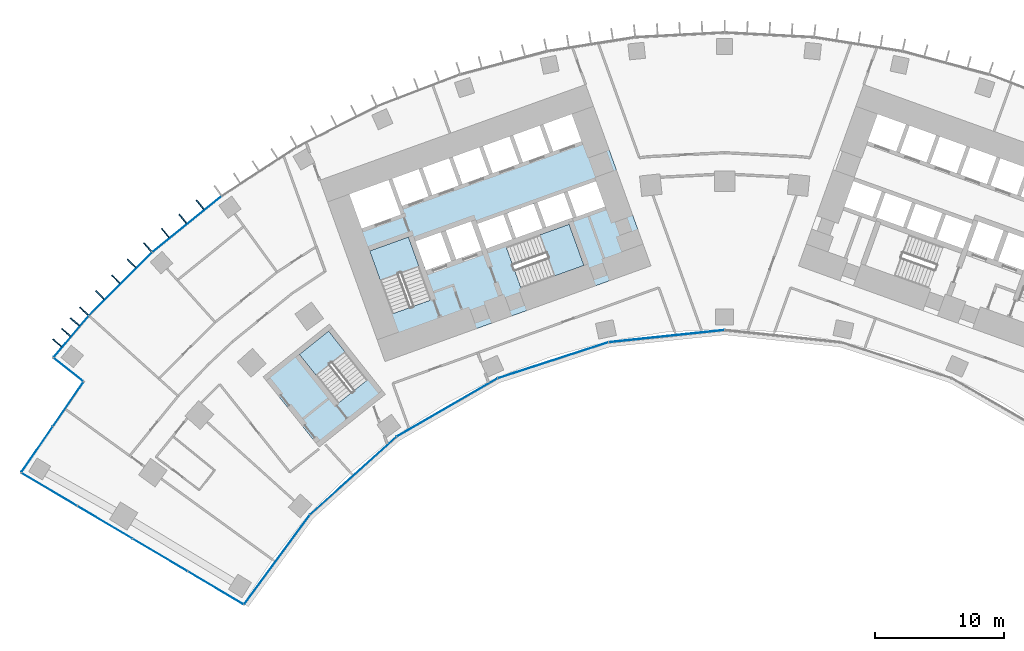
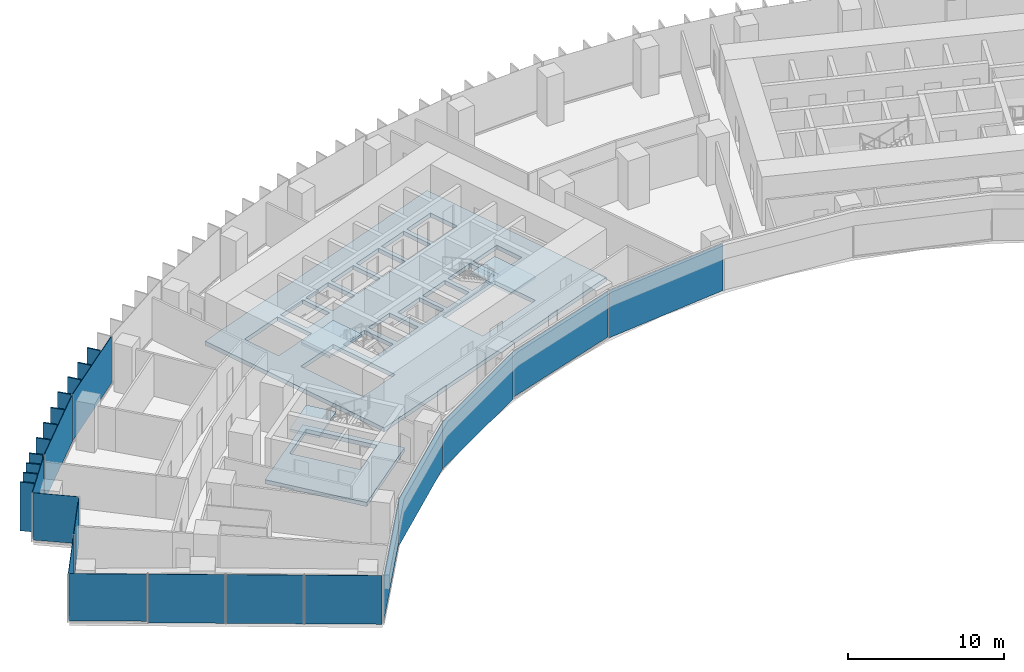
# One storey, part 14 of 24: 26 plates, 5 slabs, 8 elements without a shape of their own.
"""IFC4 building model written with IfcOpenShell, lengths in metres."""

import ifcopenshell
import ifcopenshell.guid

model = None  # the IFC model being written
_history = None  # IfcOwnerHistory: only IFC2X3 demands one
_inside = {}  # id of a spatial element -> (the spatial element, [elements in it])
_under = {}  # id of a project, library or spatial element -> (it, [spatial elements below it])
_declared = {}  # id of a project -> (the project, [libraries it declares])
_typed = {}  # id of a type object -> (the type object, [elements of that type])
_made_of = {}  # id of a material, layer set ... -> (it, [elements and type objects made of it])


def new_model(schema):
    """Start an empty IFC model of exactly this schema.

    Asked for "IFC4X3", IfcOpenShell would pick the latest addendum, in which some entities
    have other attributes; the version numbers below select the first issue.
    IFC2X3 requires an IfcOwnerHistory on every rooted entity: one is made here for all.
    """
    global model, _history
    if schema == "IFC4X3":
        model = ifcopenshell.file(schema_version=(4, 3, 0, 0))
    else:
        model = ifcopenshell.file(schema=schema)
    _inside.clear()
    _under.clear()
    _declared.clear()
    _typed.clear()
    _made_of.clear()
    _history = None
    if model.schema == "IFC2X3":
        org = make("IfcOrganization", Name="unknown")
        user = make(
            "IfcPersonAndOrganization",
            ThePerson=make("IfcPerson", FamilyName="unknown"),
            TheOrganization=org,
        )
        app = make(
            "IfcApplication",
            ApplicationDeveloper=org,
            Version="unknown",
            ApplicationFullName="unknown",
            ApplicationIdentifier="unknown",
        )
        _history = make(
            "IfcOwnerHistory",
            OwningUser=user,
            OwningApplication=app,
            ChangeAction="ADDED",
            CreationDate=0,
        )
    return model


def make(cls, **values):
    """One entity of the class cls with the attributes given. An attribute that is None is left unset."""
    return model.create_entity(
        cls, **{name: value for name, value in values.items() if value is not None}
    )


def rooted(cls, **values):
    """An entity with a GlobalId (a new one), such as an element, a storey or a relation."""
    return make(cls, GlobalId=ifcopenshell.guid.new(), OwnerHistory=_history, **values)


def si_unit(unit_type, name, prefix=None):
    """IfcSIUnit, for example si_unit("LENGTHUNIT", "METRE", prefix="MILLI")."""
    return make("IfcSIUnit", UnitType=unit_type, Prefix=prefix, Name=name)


def assignment(units):
    """IfcUnitAssignment: the units of a project."""
    return None if units is None else make("IfcUnitAssignment", Units=units)


def point(xyz):
    """IfcCartesianPoint."""
    return None if xyz is None else make("IfcCartesianPoint", Coordinates=xyz)


def direction(xyz):
    """IfcDirection."""
    return None if xyz is None else make("IfcDirection", DirectionRatios=xyz)


def frame(location, z_axis=None, x_axis=None):
    """IfcAxis2Placement3D, a coordinate frame: its origin and axes. An axis left out is left unset."""
    return make(
        "IfcAxis2Placement3D",
        Location=point(location),
        Axis=direction(z_axis),
        RefDirection=direction(x_axis),
    )


def frame_2d(location, x_axis=None):
    """IfcAxis2Placement2D, a coordinate frame in the plane: its origin and x axis."""
    return make(
        "IfcAxis2Placement2D", Location=point(location), RefDirection=direction(x_axis)
    )


def origin():
    """The frame at (0, 0, 0) with its axes left unset."""
    return frame((0.0, 0.0, 0.0))


def origin_2d():
    """The frame at (0, 0) in the plane with its x axis left unset."""
    return frame_2d((0.0, 0.0))


def place(relative_to, where):
    """IfcLocalPlacement: puts the frame where relative to a parent placement (None: the world)."""
    return make(
        "IfcLocalPlacement", PlacementRelTo=relative_to, RelativePlacement=where
    )


def context(
    kind, dimensions, precision=None, world=None, true_north=None, identifier=None
):
    """IfcGeometricRepresentationContext, for example the 3D "Model" context."""
    return make(
        "IfcGeometricRepresentationContext",
        ContextIdentifier=identifier,
        ContextType=kind,
        CoordinateSpaceDimension=dimensions,
        Precision=precision,
        WorldCoordinateSystem=world,
        TrueNorth=true_north,
    )


def subcontext(parent, identifier, kind, view, scale=None):
    """IfcGeometricRepresentationSubContext, for example "Body" below "Model"."""
    return make(
        "IfcGeometricRepresentationSubContext",
        ContextIdentifier=identifier,
        ContextType=kind,
        ParentContext=parent,
        TargetScale=scale,
        TargetView=view,
    )


def project(units=None, contexts=None):
    """IfcProject with its units and contexts."""
    return rooted(
        "IfcProject",
        Name="project",
        RepresentationContexts=contexts,
        UnitsInContext=assignment(units),
    )


def spatial(cls, under=None, at=None, **own):
    """A site, building, storey or space (cls), placed at a placement, below another one or the project."""
    s = rooted(cls, ObjectPlacement=at, **own)
    if under is not None:
        _under.setdefault(under.id(), (under, []))[1].append(s)
    return s


def polyline(points):
    """IfcPolyline through the points."""
    return make("IfcPolyline", Points=[point(p) for p in points])


def profile(cls, at=None, kind="AREA", **sizes):
    """A parametric profile (cls). Its sizes go by their IFC names, for example OverallWidth=200.0."""
    return make(cls, ProfileType=kind, Position=at, **sizes)


def rectangle(**sizes):
    """IfcRectangleProfileDef."""
    return profile("IfcRectangleProfileDef", **sizes)


def outline(outer, holes=None, kind="AREA"):
    """IfcArbitraryClosedProfileDef: a profile drawn as a closed curve; with holes, ...WithVoids."""
    if holes is None:
        return make("IfcArbitraryClosedProfileDef", ProfileType=kind, OuterCurve=outer)
    return make(
        "IfcArbitraryProfileDefWithVoids",
        ProfileType=kind,
        OuterCurve=outer,
        InnerCurves=holes,
    )


def extrude(swept, where, along, depth):
    """IfcExtrudedAreaSolid: the profile swept, set in the frame where, extruded along a direction by depth."""
    return make(
        "IfcExtrudedAreaSolid",
        SweptArea=swept,
        Position=where,
        ExtrudedDirection=direction(along),
        Depth=depth,
    )


def shape(context_of_items, identifier, shape_type, items):
    """IfcShapeRepresentation: the items that make up one representation, for example the "Body"."""
    return make(
        "IfcShapeRepresentation",
        ContextOfItems=context_of_items,
        RepresentationIdentifier=identifier,
        RepresentationType=shape_type,
        Items=items,
    )


def material(Name=None, Category=None):
    """IfcMaterial."""
    return make("IfcMaterial", Name=Name, Category=Category)


def layer(
    of_material, thickness, ventilated=None, Name=None, Category=None, Priority=None
):
    """IfcMaterialLayer: one layer of a wall or slab, of a material (None: an air gap)."""
    return make(
        "IfcMaterialLayer",
        Material=of_material,
        LayerThickness=thickness,
        IsVentilated=ventilated,
        Name=Name,
        Category=Category,
        Priority=Priority,
    )


def layer_set(layers, Name=None):
    """IfcMaterialLayerSet."""
    return make("IfcMaterialLayerSet", MaterialLayers=layers, LayerSetName=Name)


def made_of(thing, what):
    """Note that an element or type object is made of a material, layer set ...; save() writes the relation."""
    if what is not None:
        _made_of.setdefault(what.id(), (what, []))[1].append(thing)
    return thing


def type_object(cls, material=None, **own):
    """A type object (cls), such as IfcWallType, which elements share."""
    return made_of(rooted(cls, **own), material)


def element(
    cls,
    number,
    at=None,
    inside=None,
    cuts=None,
    type_object=None,
    material=None,
    context=None,
    identifier="Body",
    shape_type=None,
    held_by="IfcProductDefinitionShape",
    body=None,
    shapes=None,
    **own,
):
    """One element of the class cls, such as IfcWall. Its Tag is "e" and its number.

    at: its placement. inside: the storey or other place that contains it. cuts: it is an
    opening in that element (IfcRelVoidsElement). A single representation is given by context,
    identifier, shape_type and body (its items); several are given by shapes. held_by: the class
    of the entity that holds the representations. save() writes the other relations.
    """
    e = rooted(cls, Tag="e%d" % number, ObjectPlacement=at, **own)
    if body is not None:
        shapes = [shape(context, identifier, shape_type, body)]
    if shapes is not None:
        e.Representation = make(held_by, Representations=shapes)
    if inside is not None:
        _inside.setdefault(inside.id(), (inside, []))[1].append(e)
    if cuts is not None:
        rooted(
            "IfcRelVoidsElement", RelatingBuildingElement=cuts, RelatedOpeningElement=e
        )
    if type_object is not None:
        _typed.setdefault(type_object.id(), (type_object, []))[1].append(e)
    return made_of(e, material)


def aggregate(whole, parts):
    """IfcRelAggregates: a whole, such as a stair, and the parts it consists of."""
    return rooted("IfcRelAggregates", RelatingObject=whole, RelatedObjects=parts)


def save(model, path):
    """Write the relations noted so far, then the file.

    IfcRelAggregates (storeys below a building ...), IfcRelContainedInSpatialStructure (elements
    in a storey), IfcRelDefinesByType, IfcRelAssociatesMaterial and IfcRelDeclares: one each for
    every whole, place, type object, material and project.
    """
    for whole, parts in _under.values():
        aggregate(whole, parts)
    for where, things in _inside.values():
        rooted(
            "IfcRelContainedInSpatialStructure",
            RelatedElements=things,
            RelatingStructure=where,
        )
    for kind, things in _typed.values():
        rooted("IfcRelDefinesByType", RelatedObjects=things, RelatingType=kind)
    for what, things in _made_of.values():
        rooted("IfcRelAssociatesMaterial", RelatedObjects=things, RelatingMaterial=what)
    for by, libraries in _declared.values():
        rooted("IfcRelDeclares", RelatingContext=by, RelatedDefinitions=libraries)
    model.write(path)


model = new_model("IFC4")

# Units and contexts
model_context = context("Model", 3, precision=1e-05, world=origin(), true_north=direction((0.0, 1.0)))
body_context = subcontext(model_context, "Body", "Model", "MODEL_VIEW")
ifc_project = project(units=[si_unit("LENGTHUNIT", "METRE"), si_unit("AREAUNIT", "SQUARE_METRE"), si_unit("VOLUMEUNIT", "CUBIC_METRE"), si_unit("PLANEANGLEUNIT", "RADIAN"), si_unit("MASSUNIT", "GRAM", prefix="KILO")], contexts=[model_context])

# Site, building, storey
site_placement = place(None, origin())
site = spatial("IfcSite", under=ifc_project, at=site_placement, CompositionType="ELEMENT")
building_placement = place(site_placement, origin())
building = spatial("IfcBuilding", under=site, at=building_placement, Name="Stone Belt Terrace Tower", CompositionType="ELEMENT")
storey_placement = place(building_placement, frame((0.0, 0.0, 75.60009765625)))
storey = spatial("IfcBuildingStorey", under=building, at=storey_placement, Name="L18", CompositionType="ELEMENT", Elevation=75.60009765625)

# Curtain wall, plates
ifc_material_1 = material(Name="Aluminium 6063-T6 anodised frame", Category="aluminium")
ifc_layer_1 = layer(ifc_material_1, 0.14990234375)
ifc_layer_set_1 = layer_set([ifc_layer_1], Name="CW-A unitised convex-face curtain wall")
curtain_wall_type_1 = type_object("IfcCurtainWallType", Name="CW-A unitised convex-face curtain wall", PredefinedType="NOTDEFINED", material=ifc_layer_set_1)
curtain_wall_1_placement = place(storey_placement, origin())
curtain_wall_1 = element("IfcCurtainWall", 1, at=curtain_wall_1_placement, inside=storey, type_object=curtain_wall_type_1, Name="CW-A convex face L18", PredefinedType="NOTDEFINED")
ifc_material_2 = material(Name="Clear double glazed unit")
ifc_layer_2 = layer(ifc_material_2, 0.031982421875)
ifc_layer_set_2 = layer_set([ifc_layer_2], Name="CW-A glass panel 32")
plate_type_1 = type_object("IfcPlateType", Name="CW-A glass panel 32", PredefinedType="CURTAIN_PANEL", material=ifc_layer_set_2)
plate_1_placement = place(storey_placement, frame((-41.839599609375, 51.667724609375, 0.14013671875), z_axis=(0.0, 0.0, 1.0), x_axis=(-0.777145961457, -0.62932039105, 0.0)))
plate_1 = element("IfcPlate", 2, at=plate_1_placement, type_object=plate_type_1, Name="CW-A panel 15.1", PredefinedType="CURTAIN_PANEL", context=body_context, shape_type="SweptSolid", body=[
    extrude(rectangle(XDim=6.90087890625, YDim=0.031982421875, at=origin_2d()), origin(), (0.0, 0.0, 1.0), 3.659912109375),
])
plate_2_placement = place(storey_placement, frame((-47.01123046875, 47.01123046875, 0.14013671875), z_axis=(0.0, 0.0, 1.0), x_axis=(-0.707106781187, -0.707106781187, 0.0)))
plate_2 = element("IfcPlate", 3, at=plate_2_placement, type_object=plate_type_1, Name="CW-A panel 16.1", PredefinedType="CURTAIN_PANEL", context=body_context, shape_type="SweptSolid", body=[
    extrude(rectangle(XDim=6.90087890625, YDim=0.031982421875, at=origin_2d()), origin(), (0.0, 0.0, 1.0), 3.659912109375),
])
plate_3_placement = place(storey_placement, frame((-50.84423828125, 42.92626953125, 0.14013671875), z_axis=(0.0, 0.0, 1.0), x_axis=(-0.645291395384, -0.763936525533, 0.0)))
plate_3 = element("IfcPlate", 4, at=plate_3_placement, type_object=plate_type_1, Name="CW-A panel 17.1", PredefinedType="CURTAIN_PANEL", context=body_context, shape_type="SweptSolid", body=[
    extrude(rectangle(XDim=4.17919921875, YDim=0.031982421875, at=origin_2d()), origin(), (0.0, 0.0, 1.0), 3.659912109375),
])
aggregate(curtain_wall_1, [plate_1, plate_2, plate_3])

ifc_layer_3 = layer(ifc_material_1, 0.14990234375)
ifc_layer_set_3 = layer_set([ifc_layer_3], Name="CW-B unitised concave-face curtain wall")
curtain_wall_type_2 = type_object("IfcCurtainWallType", Name="CW-B unitised concave-face curtain wall", PredefinedType="NOTDEFINED", material=ifc_layer_set_3)
curtain_wall_2_placement = place(storey_placement, origin())
curtain_wall_2 = element("IfcCurtainWall", 5, at=curtain_wall_2_placement, inside=storey, type_object=curtain_wall_type_2, Name="CW-B concave face L18", PredefinedType="NOTDEFINED")
ifc_layer_4 = layer(ifc_material_2, 0.030029296875)
ifc_layer_set_4 = layer_set([ifc_layer_4], Name="CW-B glass panel 30")
plate_type_2 = type_object("IfcPlateType", Name="CW-B glass panel 30", PredefinedType="CURTAIN_PANEL", material=ifc_layer_set_4)
plate_4_placement = place(storey_placement, frame((-34.831787109375, 25.57177734375, 0.119873046875), z_axis=(0.0, 0.0, 1.0), x_axis=(0.592159017675, 0.805821132626, 0.0)))
plate_4 = element("IfcPlate", 6, at=plate_4_placement, type_object=plate_type_2, Name="CW-B panel 1.1", PredefinedType="CURTAIN_PANEL", context=body_context, shape_type="SweptSolid", body=[
    extrude(rectangle(XDim=8.583984375, YDim=0.030029296875, at=origin_2d()), origin(), (0.0, 0.0, 1.0), 3.56005859375),
])
plate_5_placement = place(storey_placement, frame((-28.897705078125, 32.09375, 0.0), z_axis=(0.0, 0.0, 1.0), x_axis=(0.743144825477, 0.669130606359, 0.0)))
plate_5 = element("IfcPlate", 7, at=plate_5_placement, type_object=plate_type_2, Name="CW-B panel 2.1", PredefinedType="CURTAIN_PANEL", context=body_context, shape_type="SweptSolid", body=[
    extrude(rectangle(XDim=9.01318359375, YDim=0.030029296875, at=origin_2d()), origin(), (0.0, 0.0, 1.0), 3.679931640625),
])
plate_6_placement = place(storey_placement, frame((-21.59326171875, 37.40087890625, 0.0), z_axis=(0.0, 0.0, 1.0), x_axis=(0.866025403784, 0.5, 0.0)))
plate_6 = element("IfcPlate", 8, at=plate_6_placement, type_object=plate_type_2, Name="CW-B panel 3.1", PredefinedType="CURTAIN_PANEL", context=body_context, shape_type="SweptSolid", body=[
    extrude(rectangle(XDim=9.0126953125, YDim=0.030029296875, at=origin_2d()), origin(), (0.0, 0.0, 1.0), 3.679931640625),
])
plate_7_placement = place(storey_placement, frame((-13.345458984375, 41.072998046875, 0.119873046875), z_axis=(0.0, 0.0, 1.0), x_axis=(0.951056516295, 0.309016994375, 0.0)))
plate_7 = element("IfcPlate", 9, at=plate_7_placement, type_object=plate_type_2, Name="CW-B panel 4.1", PredefinedType="CURTAIN_PANEL", context=body_context, shape_type="SweptSolid", body=[
    extrude(rectangle(XDim=9.0126953125, YDim=0.030029296875, at=origin_2d()), origin(), (0.0, 0.0, 1.0), 3.56005859375),
])
plate_8_placement = place(storey_placement, frame((-4.51416015625, 42.9501953125, 0.0), z_axis=(0.0, 0.0, 1.0), x_axis=(0.994521895368, 0.104528463268, 0.0)))
plate_8 = element("IfcPlate", 10, at=plate_8_placement, type_object=plate_type_2, Name="CW-B panel 5.1", PredefinedType="CURTAIN_PANEL", context=body_context, shape_type="SweptSolid", body=[
    extrude(rectangle(XDim=9.0126953125, YDim=0.030029296875, at=origin_2d()), origin(), (0.0, 0.0, 1.0), 3.679931640625),
])
aggregate(curtain_wall_2, [plate_4, plate_5, plate_6, plate_7, plate_8])

# Curtain wall, plate
ifc_layer_5 = layer(ifc_material_1, 0.14990234375)
ifc_layer_set_5 = layer_set([ifc_layer_5], Name="CW-C stick curtain wall, horn ends and notches")
curtain_wall_type_3 = type_object("IfcCurtainWallType", Name="CW-C stick curtain wall, horn ends and notches", PredefinedType="NOTDEFINED", material=ifc_layer_set_5)
curtain_wall_3_placement = place(storey_placement, origin())
curtain_wall_3 = element("IfcCurtainWall", 11, at=curtain_wall_3_placement, inside=storey, type_object=curtain_wall_type_3, Name="CW-C notch face L18", PredefinedType="NOTDEFINED")
ifc_layer_6 = layer(ifc_material_2, 0.028076171875)
ifc_layer_set_6 = layer_set([ifc_layer_6], Name="CW-C glass panel 28")
plate_type_3 = type_object("IfcPlateType", Name="CW-C glass panel 28", PredefinedType="CURTAIN_PANEL", material=ifc_layer_set_6)
plate_9_placement = place(storey_placement, frame((-51.061279296875, 40.3388671875, 0.1201171875), z_axis=(0.0, 0.0, 1.0), x_axis=(0.783963828584, -0.620806504051, 0.0)))
plate_9 = element("IfcPlate", 12, at=plate_9_placement, type_object=plate_type_3, Name="CW-C panel 1.1", PredefinedType="CURTAIN_PANEL", context=body_context, shape_type="SweptSolid", body=[
    extrude(rectangle(XDim=2.859375, YDim=0.028076171875, at=origin_2d()), origin(), (0.0, 0.0, 1.0), 3.679931640625),
])
aggregate(curtain_wall_3, [plate_9])

# Curtain wall, plates
curtain_wall_4_placement = place(storey_placement, origin())
curtain_wall_4 = element("IfcCurtainWall", 13, at=curtain_wall_4_placement, inside=storey, type_object=curtain_wall_type_3, Name="CW-C notch face L18", PredefinedType="NOTDEFINED")
plate_10_placement = place(storey_placement, frame((-51.091552734375, 37.647705078125, 0.1201171875), z_axis=(0.0, 0.0, 1.0), x_axis=(-0.566375967567, -0.824146991357, 0.0)))
plate_10 = element("IfcPlate", 14, at=plate_10_placement, type_object=plate_type_3, Name="CW-C panel 1.1", PredefinedType="CURTAIN_PANEL", context=body_context, shape_type="SweptSolid", body=[
    extrude(rectangle(XDim=4.12060546875, YDim=0.028076171875, at=origin_2d()), origin(), (0.0, 0.0, 1.0), 3.679931640625),
])
plate_11_placement = place(storey_placement, frame((-53.501220703125, 34.141357421875, 0.0), z_axis=(0.0, 0.0, 1.0), x_axis=(-0.566375967567, -0.824146991357, 0.0)))
plate_11 = element("IfcPlate", 15, at=plate_11_placement, type_object=plate_type_3, Name="CW-C panel 2.1", PredefinedType="CURTAIN_PANEL", context=body_context, shape_type="SweptSolid", body=[
    extrude(rectangle(XDim=4.268798828125, YDim=0.028076171875, at=origin_2d()), origin(), (0.0, 0.0, 1.0), 3.800048828125),
])
aggregate(curtain_wall_4, [plate_10, plate_11])

curtain_wall_5_placement = place(storey_placement, origin())
curtain_wall_5 = element("IfcCurtainWall", 16, at=curtain_wall_5_placement, inside=storey, type_object=curtain_wall_type_3, Name="CW-C end face L18", PredefinedType="NOTDEFINED")
plate_12_placement = place(storey_placement, frame((-52.54736328125, 31.014892578125, 0.1201171875), z_axis=(0.0, 0.0, 1.0), x_axis=(0.860557728521, -0.509352918793, 0.0)))
plate_12 = element("IfcPlate", 17, at=plate_12_placement, type_object=plate_type_3, Name="CW-C panel 1.1", PredefinedType="CURTAIN_PANEL", context=body_context, shape_type="SweptSolid", body=[
    extrude(rectangle(XDim=4.974853515625, YDim=0.028076171875, at=origin_2d()), origin(), (0.0, 0.0, 1.0), 3.679931640625),
])
plate_13_placement = place(storey_placement, frame((-48.2294921875, 28.459228515625, 0.0), z_axis=(0.0, 0.0, 1.0), x_axis=(0.860557728521, -0.509352918793, 0.0)))
plate_13 = element("IfcPlate", 18, at=plate_13_placement, type_object=plate_type_3, Name="CW-C panel 2.1", PredefinedType="CURTAIN_PANEL", context=body_context, shape_type="SweptSolid", body=[
    extrude(rectangle(XDim=4.93994140625, YDim=0.028076171875, at=origin_2d()), origin(), (0.0, 0.0, 1.0), 3.800048828125),
])
plate_14_placement = place(storey_placement, frame((-43.9267578125, 25.912353515625, 0.0), z_axis=(0.0, 0.0, 1.0), x_axis=(0.860557728521, -0.509352918793, 0.0)))
plate_14 = element("IfcPlate", 19, at=plate_14_placement, type_object=plate_type_3, Name="CW-C panel 3.1", PredefinedType="CURTAIN_PANEL", context=body_context, shape_type="SweptSolid", body=[
    extrude(rectangle(XDim=4.93994140625, YDim=0.028076171875, at=origin_2d()), origin(), (0.0, 0.0, 1.0), 3.800048828125),
])
plate_15_placement = place(storey_placement, frame((-39.613037109375, 23.359130859375, 0.0), z_axis=(0.0, 0.0, 1.0), x_axis=(0.860557728521, -0.509352918793, 0.0)))
plate_15 = element("IfcPlate", 20, at=plate_15_placement, type_object=plate_type_3, Name="CW-C panel 4.1", PredefinedType="CURTAIN_PANEL", context=body_context, shape_type="SweptSolid", body=[
    extrude(rectangle(XDim=4.96533203125, YDim=0.028076171875, at=origin_2d()), origin(), (0.0, 0.0, 1.0), 3.800048828125),
])
aggregate(curtain_wall_5, [plate_12, plate_13, plate_14, plate_15])

# Slabs
ifc_material_3 = material(Name="Concrete B40", Category="concrete")
ifc_layer_7 = layer(ifc_material_3, 0.320068359375)
ifc_layer_set_7 = layer_set([ifc_layer_7], Name="Core floor slab 320")
slab_type_1 = type_object("IfcSlabType", Name="Core floor slab 320", PredefinedType="FLOOR", material=ifc_layer_set_7)
slab_1_placement = place(storey_placement, frame((0.0, 0.0, -0.320068359375)))
element("IfcSlab", 21, at=slab_1_placement, inside=storey, type_object=slab_type_1, Name="Core A floor L18", PredefinedType="FLOOR", context=body_context, shape_type="SweptSolid", body=[
    extrude(outline(polyline([(-26.43505859375, 40.968994140625), (-5.735107421875, 48.4189453125), (-10.81396484375, 62.531982421875), (-31.513916015625, 55.0830078125), (-26.43505859375, 40.968994140625)]), holes=[polyline([(-24.60791015625, 50.659912109375), (-22.847900390625, 45.76806640625), (-25.85888671875, 44.68408203125), (-27.618896484375, 49.575927734375), (-24.60791015625, 50.659912109375)]), polyline([(-21.27392578125, 48.778076171875), (-23.25, 48.06689453125), (-24.06298828125, 50.324951171875), (-22.0869140625, 51.035888671875), (-21.27392578125, 48.778076171875)]), polyline([(-18.922119140625, 49.6240234375), (-20.89794921875, 48.9130859375), (-21.7109375, 51.1708984375), (-19.735107421875, 51.883056640625), (-18.922119140625, 49.6240234375)]), polyline([(-19.239990234375, 51.68896484375), (-17.217041015625, 52.4169921875), (-16.52294921875, 50.488037109375), (-18.5458984375, 49.760009765625), (-19.239990234375, 51.68896484375)]), polyline([(-29.2109375, 53.9990234375), (-26.153076171875, 55.09912109375), (-25.18798828125, 52.41796875), (-28.24609375, 51.31689453125), (-29.2109375, 53.9990234375)]), polyline([(-23.801025390625, 55.946044921875), (-23.0390625, 53.8291015625), (-25.10888671875, 53.083984375), (-25.87109375, 55.200927734375), (-23.801025390625, 55.946044921875)]), polyline([(-21.447998046875, 56.7919921875), (-20.68603515625, 54.675048828125), (-22.756103515625, 53.929931640625), (-23.51806640625, 56.047119140625), (-21.447998046875, 56.7919921875)]), polyline([(-19.095947265625, 57.638916015625), (-18.333984375, 55.52197265625), (-20.404052734375, 54.777099609375), (-21.166015625, 56.89404296875), (-19.095947265625, 57.638916015625)]), polyline([(-15.846923828125, 46.69189453125), (-16.998046875, 49.89208984375), (-12.10595703125, 51.652099609375), (-10.955078125, 48.452880859375), (-15.846923828125, 46.69189453125)]), polyline([(-16.239990234375, 50.589111328125), (-16.93408203125, 52.51806640625), (-14.864013671875, 53.262939453125), (-14.169921875, 51.333984375), (-16.239990234375, 50.589111328125)]), polyline([(-11.801025390625, 52.134033203125), (-11.847900390625, 52.116943359375), (-11.864990234375, 52.1640625), (-13.887939453125, 51.43603515625), (-14.58203125, 53.364990234375), (-12.511962890625, 54.110107421875), (-11.801025390625, 52.134033203125)]), polyline([(-9.30810546875, 53.031005859375), (-11.51904296875, 52.235107421875), (-12.22998046875, 54.2109375), (-10.01904296875, 55.007080078125), (-9.30810546875, 53.031005859375)]), polyline([(-16.743896484375, 58.485107421875), (-15.98193359375, 56.367919921875), (-18.052001953125, 55.623046875), (-18.81396484375, 57.739990234375), (-16.743896484375, 58.485107421875)]), polyline([(-14.39111328125, 59.33203125), (-13.6298828125, 57.215087890625), (-15.699951171875, 56.469970703125), (-16.4609375, 58.5869140625), (-14.39111328125, 59.33203125)]), polyline([(-11.89794921875, 60.22900390625), (-11.135986328125, 58.112060546875), (-13.346923828125, 57.31591796875), (-14.10888671875, 59.43408203125), (-11.89794921875, 60.22900390625)])]), origin(), (0.0, 0.0, 1.0), 0.320068359375),
])
slab_2_placement = place(storey_placement, frame((0.0, 0.0, -0.320068359375)))
element("IfcSlab", 22, at=slab_2_placement, inside=storey, type_object=slab_type_1, Name="Exit stair ST3A floor L18", PredefinedType="FLOOR", context=body_context, shape_type="SweptSolid", body=[
    extrude(outline(polyline([(-26.39404296875, 38.425048828125), (-30.756103515625, 43.89990234375), (-35.91796875, 39.787109375), (-31.555908203125, 34.31298828125), (-26.39404296875, 38.425048828125)]), holes=[polyline([(-27.798095703125, 39.544921875), (-30.06591796875, 37.738037109375), (-33.087890625, 41.531005859375), (-30.820068359375, 43.337890625), (-27.798095703125, 39.544921875)])]), origin(), (0.0, 0.0, 1.0), 0.320068359375),
])

# Stair, slab
stair_type = type_object("IfcStairType", Name="Exit stair 1500", PredefinedType="HALF_TURN_STAIR", material=ifc_material_3)
stair_1_placement = place(storey_placement, origin())
stair_1 = element("IfcStair", 23, at=stair_1_placement, inside=storey, type_object=stair_type, Name="L18 Exit stair 1 core A", PredefinedType="HALF_TURN_STAIR")
ifc_layer_8 = layer(ifc_material_3, 0.199951171875)
ifc_layer_set_8 = layer_set([ifc_layer_8], Name="Stair landing 200")
slab_type_2 = type_object("IfcSlabType", Name="Stair landing 200", PredefinedType="LANDING", material=ifc_layer_set_8)
slab_3_placement = place(storey_placement, frame((0.0, 0.0, 1.699951171875)))
slab_3 = element("IfcSlab", 24, at=slab_3_placement, type_object=slab_type_2, Name="ST1A landing 1", PredefinedType="LANDING", context=body_context, shape_type="SweptSolid", body=[
    extrude(outline(polyline([(-23.79541015625, 48.40087890625), (-24.6083984375, 50.659912109375), (-27.619384765625, 49.576171875), (-26.806396484375, 47.3173828125), (-23.79541015625, 48.40087890625)])), origin(), (0.0, 0.0, 1.0), 0.199951171875),
])
aggregate(stair_1, [slab_3])

stair_2_placement = place(storey_placement, origin())
stair_2 = element("IfcStair", 25, at=stair_2_placement, inside=storey, type_object=stair_type, Name="L18 Exit stair 2 core A", PredefinedType="HALF_TURN_STAIR")
slab_4_placement = place(storey_placement, frame((0.0, 0.0, 1.699951171875)))
slab_4 = element("IfcSlab", 26, at=slab_4_placement, type_object=slab_type_2, Name="ST2A landing 1", PredefinedType="LANDING", context=body_context, shape_type="SweptSolid", body=[
    extrude(outline(polyline([(-13.213623046875, 47.64013671875), (-10.95458984375, 48.453125), (-12.10595703125, 51.652099609375), (-14.36474609375, 50.839111328125), (-13.213623046875, 47.64013671875)])), origin(), (0.0, 0.0, 1.0), 0.199951171875),
])
aggregate(stair_2, [slab_4])

stair_3_placement = place(storey_placement, origin())
stair_3 = element("IfcStair", 27, at=stair_3_placement, inside=storey, type_object=stair_type, Name="L18 Exit stair 3A", PredefinedType="HALF_TURN_STAIR")
slab_5_placement = place(storey_placement, frame((0.0, 0.0, 1.699951171875)))
slab_5 = element("IfcSlab", 28, at=slab_5_placement, type_object=slab_type_2, Name="ST3A landing 1", PredefinedType="LANDING", context=body_context, shape_type="SweptSolid", body=[
    extrude(outline(polyline([(-29.541748046875, 41.73388671875), (-30.819580078125, 43.337890625), (-33.087646484375, 41.53076171875), (-31.809814453125, 39.9267578125), (-29.541748046875, 41.73388671875)])), origin(), (0.0, 0.0, 1.0), 0.199951171875),
])
aggregate(stair_3, [slab_5])

# Plates
ifc_material_4 = material(Name="Terracotta coloured glazed ceramic", Category="masonry")
ifc_layer_9 = layer(ifc_material_4, 0.10009765625)
ifc_layer_set_9 = layer_set([ifc_layer_9], Name="Terracotta fin 100 x 900")
plate_type_4 = type_object("IfcPlateType", Name="Terracotta fin 100 x 900", PredefinedType="SHEET", material=ifc_layer_set_9)
for number, where, z_axis, x_axis, name in (
    (29, (-40.816162109375, 53.172119140625, 0.0), (0.0, 0.0, 1.0), (-0.62932039105, 0.777145961457, 0.0), "FIN L18 15.2"),
    (30, (-42.170166015625, 52.07568359375, 0.0), (0.0, 0.0, 1.0), (-0.62932039105, 0.777145961457, 0.0), "FIN L18 15.3"),
    (31, (-43.52392578125, 50.979248046875, 0.0), (0.0, 0.0, 1.0), (-0.62932039105, 0.777145961457, 0.0), "FIN L18 15.4"),
    (32, (-44.898681640625, 49.864990234375, 0.0), (0.0, 0.0, 1.0), (-0.669130606359, 0.743144825477, 0.0), "FIN L18 16.1"),
    (33, (-46.150390625, 48.614501953125, 0.0), (0.0, 0.0, 1.0), (-0.707106781187, 0.707106781187, 0.0), "FIN L18 16.2"),
    (34, (-47.382080078125, 47.3828125, 0.0), (0.0, 0.0, 1.0), (-0.707106781187, 0.707106781187, 0.0), "FIN L18 16.3"),
    (35, (-48.61376953125, 46.15087890625, 0.0), (0.0, 0.0, 1.0), (-0.707106781187, 0.707106781187, 0.0), "FIN L18 16.4"),
    (36, (-49.86083984375, 44.9033203125, 0.0), (0.0, 0.0, 1.0), (-0.73617076011, 0.676795842155, 0.0), "FIN L18 17.1"),
    (37, (-50.567138671875, 44.068115234375, 0.0), (0.0, 0.0, 1.0), (-0.763936525533, 0.645291395384, 0.0), "FIN L18 17.2"),
    (38, (-51.2587890625, 43.249267578125, 0.0), (0.0, 0.0, 1.0), (-0.763936525533, 0.645291395384, 0.0), "FIN L18 17.3"),
    (39, (-51.9501953125, 42.430419921875, 0.0), (0.0, 0.0, 1.0), (-0.763936525533, 0.645291395384, 0.0), "FIN L18 17.4"),
):
    element("IfcPlate", number, at=place(storey_placement, frame(where, z_axis=z_axis, x_axis=x_axis)), inside=storey, type_object=plate_type_4, Name=name, PredefinedType="SHEET", context=body_context, shape_type="SweptSolid", body=[
        extrude(rectangle(XDim=0.89990234375, YDim=0.10009765625, at=origin_2d()), origin(), (0.0, 0.0, 1.0), 3.800048828125),
    ])

save(model, "model.ifc")
